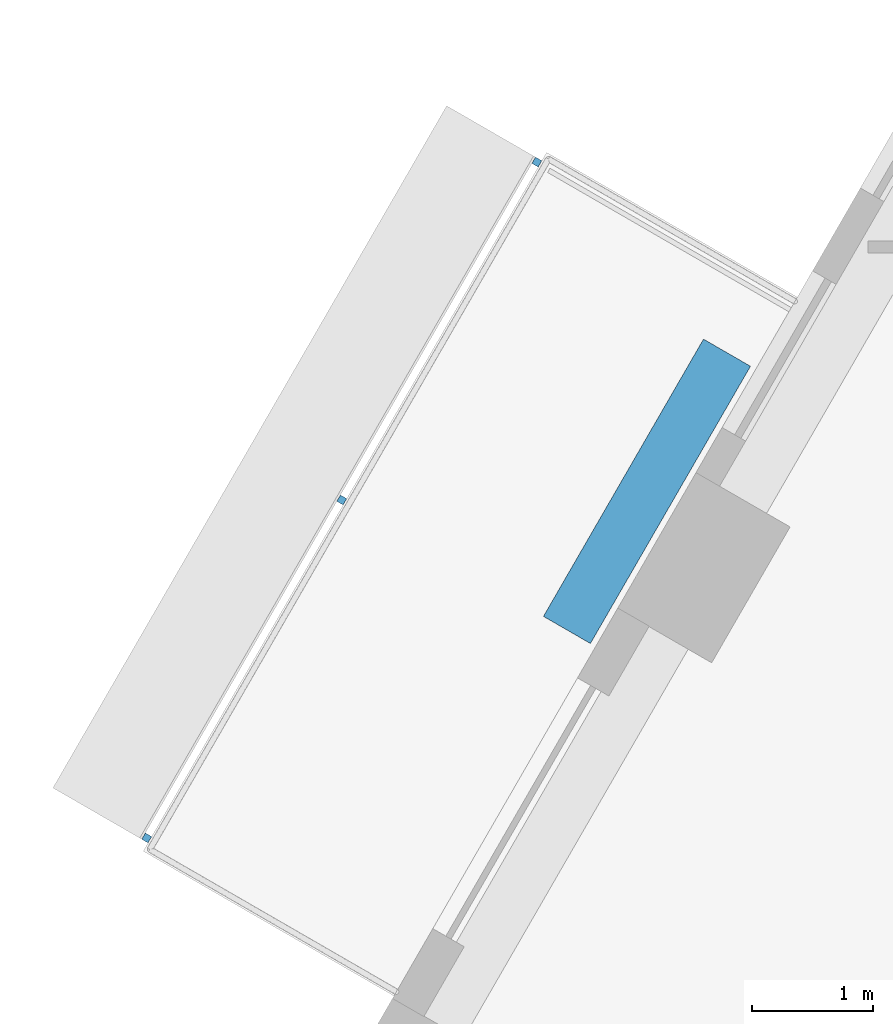
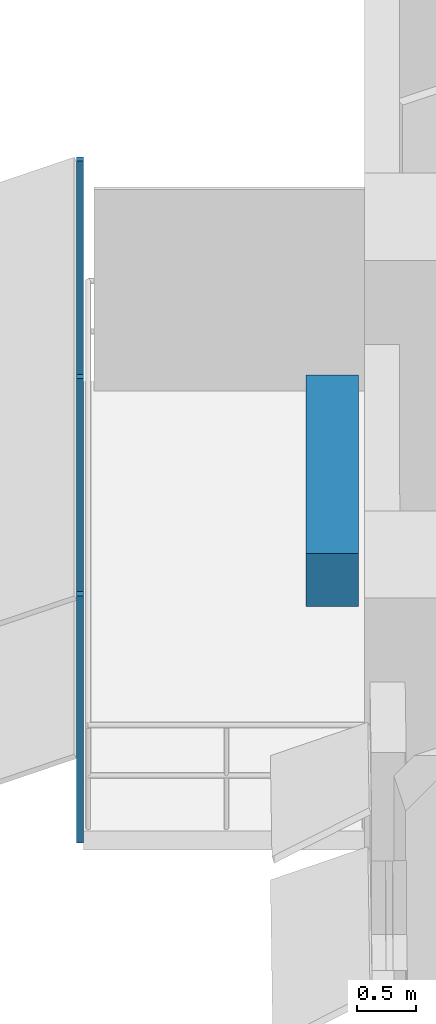
# One storey, part 10 of 13: 4 discrete accessories.
"""IFC4 building model written with IfcOpenShell, lengths in metres."""

from ifc_helpers import new_model, si_unit, direction, frame, origin, origin_2d, place, context, subcontext, project, spatial, rectangle, extrude, material, type_object, element, save


model = new_model("IFC4")

# Units and contexts
model_context = context("Model", 3, precision=1e-05, world=origin(), true_north=direction((0.0, 1.0)))
body_context = subcontext(model_context, "Body", "Model", "MODEL_VIEW")
ifc_project = project(units=[si_unit("LENGTHUNIT", "METRE"), si_unit("AREAUNIT", "SQUARE_METRE"), si_unit("VOLUMEUNIT", "CUBIC_METRE"), si_unit("PLANEANGLEUNIT", "RADIAN"), si_unit("MASSUNIT", "GRAM", prefix="KILO")], contexts=[model_context])

# Site, building, storey
site_placement = place(None, origin())
site = spatial("IfcSite", under=ifc_project, at=site_placement, CompositionType="ELEMENT")
building_placement = place(site_placement, origin())
building = spatial("IfcBuilding", under=site, at=building_placement, Name="Nakaniwa Court", CompositionType="ELEMENT")
storey_placement = place(building_placement, frame((0.0, 0.0, 137.10009765625)))
storey = spatial("IfcBuildingStorey", under=building, at=storey_placement, Name="L35", CompositionType="ELEMENT", Elevation=137.10009765625)

# Discrete accessories
ifc_material_1 = material(Name="Black powder-coated steel bracket S275", Category="steel")
discrete_accessory_type_1 = type_object("IfcDiscreteAccessoryType", Name="Black metal louvre bracket", PredefinedType="BRACKET", material=ifc_material_1)
for number, where, z_axis, x_axis, name in (
    (1, (58.307373046875, 95.287353515625, -0.22998046875), (0.0, 0.0, 1.0), (-0.499975815814, -0.866039366081, 0.0), "L35 louvre bracket 01 1"),
    (2, (56.690185546875, 92.486328125, -0.22998046875), (0.0, 0.0, 1.0), (-0.499975815814, -0.866039366081, 0.0), "L35 louvre bracket 01 2"),
    (3, (55.072998046875, 89.68505859375, -0.22998046875), (0.0, 0.0, 1.0), (-0.499975815814, -0.866039366081, 0.0), "L35 louvre bracket 01 3"),
):
    element("IfcDiscreteAccessory", number, at=place(storey_placement, frame(where, z_axis=z_axis, x_axis=x_axis)), inside=storey, type_object=discrete_accessory_type_1, Name=name, PredefinedType="BRACKET", context=body_context, shape_type="SweptSolid", body=[
        extrude(rectangle(XDim=0.06005859375, YDim=0.06005859375, at=origin_2d()), origin(), (0.0, 0.0, 1.0), 2.5751953125),
    ])
ifc_material_2 = material(Name="Precast concrete C40/50 planter with planted soil", Category="concrete")
discrete_accessory_type_2 = type_object("IfcDiscreteAccessoryType", Name="Planter box charcoal concrete", PredefinedType="USERDEFINED", material=ifc_material_2)
discrete_accessory_placement = place(storey_placement, frame((59.219970703125, 92.55810546875, -0.05029296875), z_axis=(0.0, 0.0, 1.0), x_axis=(-0.499975815814, -0.866039366081, 0.0)))
element("IfcDiscreteAccessory", 4, at=discrete_accessory_placement, inside=storey, type_object=discrete_accessory_type_2, Name="L35 balcony PLANTER 01", ObjectType="PLANTER", PredefinedType="USERDEFINED", context=body_context, shape_type="SweptSolid", body=[
    extrude(rectangle(XDim=2.654296875, YDim=0.449951171875, at=origin_2d()), origin(), (0.0, 0.0, 1.0), 0.550048828125),
])

save(model, "model.ifc")
